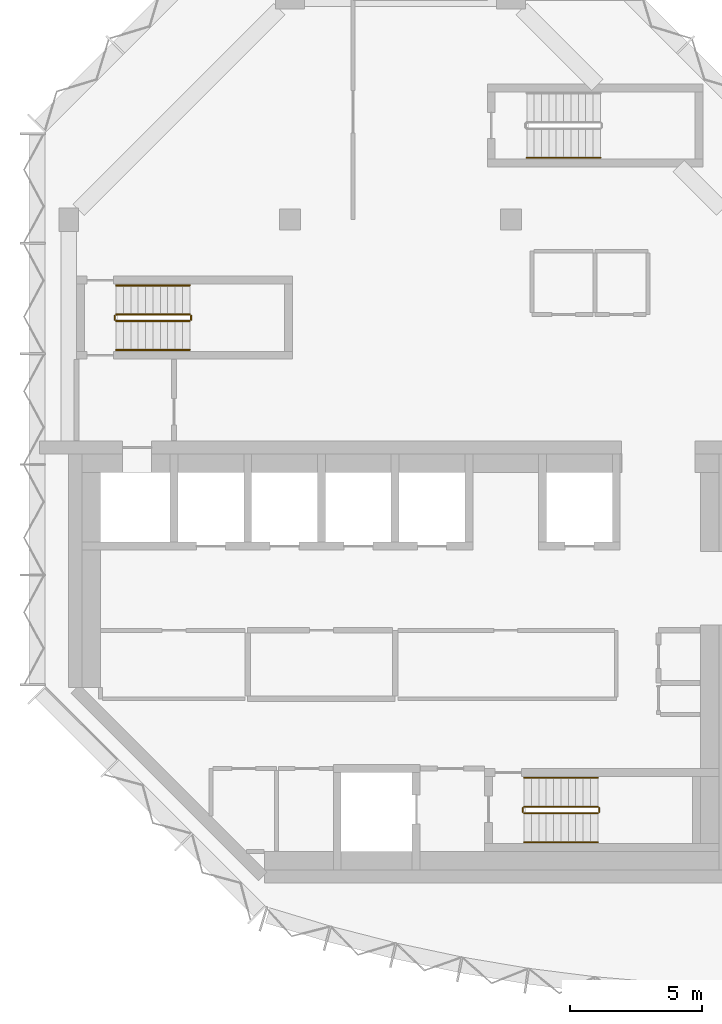
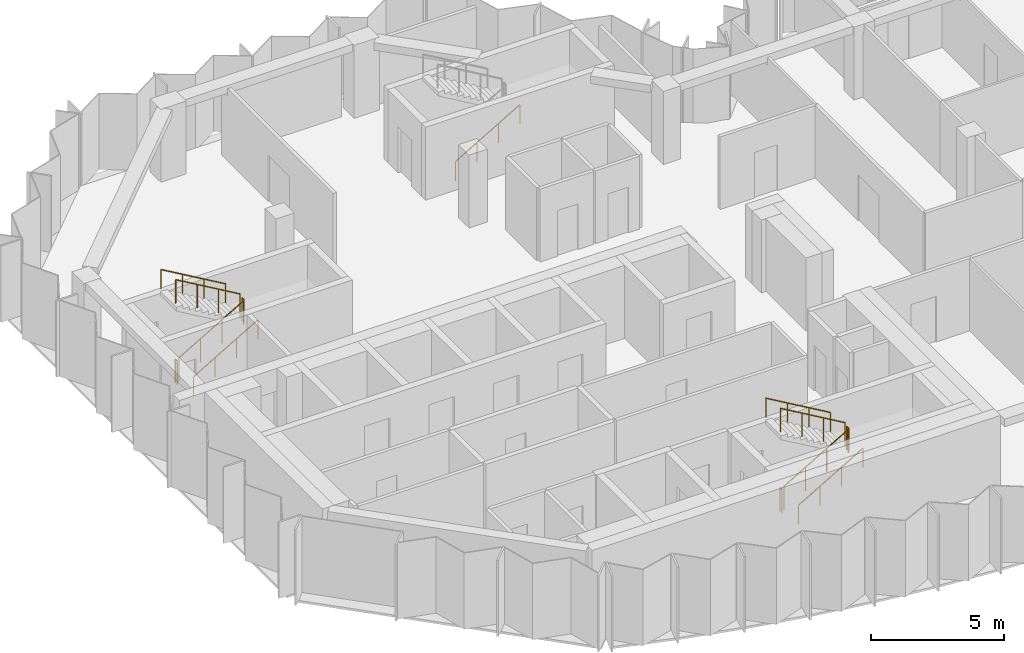
# One storey, part 8 of 9: 13 railings.
"""IFC4 building model written with IfcOpenShell, lengths in metres."""

from ifc_helpers import new_model, si_unit, direction, frame, origin, origin_2d, place, context, subcontext, project, spatial, circle, extrude, material, type_object, element, save


model = new_model("IFC4")

# Units and contexts
model_context = context("Model", 3, precision=1e-05, world=origin(), true_north=direction((0.0, 1.0)))
body_context = subcontext(model_context, "Body", "Model", "MODEL_VIEW")
ifc_project = project(units=[si_unit("LENGTHUNIT", "METRE"), si_unit("AREAUNIT", "SQUARE_METRE"), si_unit("VOLUMEUNIT", "CUBIC_METRE"), si_unit("PLANEANGLEUNIT", "RADIAN"), si_unit("MASSUNIT", "GRAM", prefix="KILO")], contexts=[model_context])

# Site, building, storey
site_placement = place(None, origin())
site = spatial("IfcSite", under=ifc_project, at=site_placement, CompositionType="ELEMENT")
building_placement = place(site_placement, origin())
building = spatial("IfcBuilding", under=site, at=building_placement, Name="Brevane Broadcast Tower", CompositionType="ELEMENT")
storey_placement = place(building_placement, frame((0.0, 0.0, 240.89990234375)))
storey = spatial("IfcBuildingStorey", under=building, at=storey_placement, Name="L61", CompositionType="ELEMENT", Elevation=240.89990234375)

# Railings
ifc_material = material(Name="Steel S355", Category="steel")
railing_type_1 = type_object("IfcRailingType", Name="Exit stair guard", PredefinedType="GUARDRAIL", material=ifc_material)
railing_1_placement = place(storey_placement, frame((1.800048828125, 21.35009765625, 0.163818359375)))
element("IfcRailing", 1, at=railing_1_placement, inside=storey, type_object=railing_type_1, Name="L61 ST-1 stair guard 1", PredefinedType="GUARDRAIL", context=body_context, shape_type="SweptSolid", body=[
    extrude(circle(Radius=0.02392578125, at=origin_2d()), frame((0.0, 0.0, 1.076171875), z_axis=(0.863393664356, 0.0, 0.504530851732), x_axis=(0.0, 1.0, 0.0)), (0.0, 0.0, 1.0), 3.2431640625),
    extrude(circle(Radius=0.02099609375, at=origin_2d()), origin(), (0.0, 0.0, 1.0), 1.052001953125),
    extrude(circle(Radius=0.02099609375, at=origin_2d()), frame((0.933349609375, 0.0, 0.54541015625)), (0.0, 0.0, 1.0), 1.052001953125),
    extrude(circle(Radius=0.02099609375, at=origin_2d()), frame((1.86669921875, 0.0, 1.0908203125)), (0.0, 0.0, 1.0), 1.052001953125),
    extrude(circle(Radius=0.02099609375, at=origin_2d()), frame((2.800048828125, 0.0, 1.63623046875)), (0.0, 0.0, 1.0), 1.052001953125),
])
railing_2_placement = place(storey_placement, frame((4.64990234375, 21.39990234375, 1.800048828125)))
element("IfcRailing", 2, at=railing_2_placement, inside=storey, type_object=railing_type_1, Name="L61 ST-1 stair guard 2", PredefinedType="GUARDRAIL", context=body_context, shape_type="SweptSolid", body=[
    extrude(circle(Radius=0.02392578125, at=origin_2d()), frame((0.0, 0.0, 1.076171875), z_axis=(0.0, 1.0, 0.0), x_axis=(-1.0, 0.0, 0.0)), (0.0, 0.0, 1.0), 0.150146484375),
    extrude(circle(Radius=0.02099609375, at=origin_2d()), origin(), (0.0, 0.0, 1.0), 1.052001953125),
    extrude(circle(Radius=0.02099609375, at=origin_2d()), frame((0.0, 0.150146484375, 0.0)), (0.0, 0.0, 1.0), 1.052001953125),
])
railing_3_placement = place(storey_placement, frame((4.60009765625, 21.60009765625, 1.963623046875)))
element("IfcRailing", 3, at=railing_3_placement, inside=storey, type_object=railing_type_1, Name="L61 ST-1 stair guard 3", PredefinedType="GUARDRAIL", context=body_context, shape_type="SweptSolid", body=[
    extrude(circle(Radius=0.02392578125, at=origin_2d()), frame((0.0, 0.0, 1.076171875), z_axis=(-0.863360870873, 0.0, 0.504586966384), x_axis=(0.0, -1.0, 0.0)), (0.0, 0.0, 1.0), 3.2431640625),
    extrude(circle(Radius=0.02099609375, at=origin_2d()), origin(), (0.0, 0.0, 1.0), 1.052001953125),
    extrude(circle(Radius=0.02099609375, at=origin_2d()), frame((-0.933349609375, 0.0, 0.54541015625)), (0.0, 0.0, 1.0), 1.052001953125),
    extrude(circle(Radius=0.02099609375, at=origin_2d()), frame((-1.86669921875, 0.0, 1.091064453125)), (0.0, 0.0, 1.0), 1.052001953125),
    extrude(circle(Radius=0.02099609375, at=origin_2d()), frame((-2.800048828125, 0.0, 1.636474609375)), (0.0, 0.0, 1.0), 1.052001953125),
])
railing_4_placement = place(storey_placement, frame((1.75, 21.39990234375, 0.0)))
element("IfcRailing", 4, at=railing_4_placement, inside=storey, type_object=railing_type_1, Name="L61 ST-1 stair guard 4", PredefinedType="GUARDRAIL", context=body_context, shape_type="SweptSolid", body=[
    extrude(circle(Radius=0.02392578125, at=origin_2d()), frame((0.0, 0.0, 1.076171875), z_axis=(0.0, 1.0, 0.0), x_axis=(-1.0, 0.0, 0.0)), (0.0, 0.0, 1.0), 0.150146484375),
    extrude(circle(Radius=0.02099609375, at=origin_2d()), origin(), (0.0, 0.0, 1.0), 1.052001953125),
    extrude(circle(Radius=0.02099609375, at=origin_2d()), frame((0.0, 0.150146484375, 0.0)), (0.0, 0.0, 1.0), 1.052001953125),
])
railing_5_placement = place(storey_placement, frame((17.300048828125, 2.64990234375, 0.163818359375)))
element("IfcRailing", 5, at=railing_5_placement, inside=storey, type_object=railing_type_1, Name="L61 ST-2 stair guard 1", PredefinedType="GUARDRAIL", context=body_context, shape_type="SweptSolid", body=[
    extrude(circle(Radius=0.02392578125, at=origin_2d()), frame((0.0, 0.0, 1.076171875), z_axis=(0.863393664356, 0.0, 0.504530851732), x_axis=(0.0, 1.0, 0.0)), (0.0, 0.0, 1.0), 3.2431640625),
    extrude(circle(Radius=0.02099609375, at=origin_2d()), origin(), (0.0, 0.0, 1.0), 1.052001953125),
    extrude(circle(Radius=0.02099609375, at=origin_2d()), frame((0.933349609375, 0.0, 0.54541015625)), (0.0, 0.0, 1.0), 1.052001953125),
    extrude(circle(Radius=0.02099609375, at=origin_2d()), frame((1.86669921875, 0.0, 1.0908203125)), (0.0, 0.0, 1.0), 1.052001953125),
    extrude(circle(Radius=0.02099609375, at=origin_2d()), frame((2.800048828125, 0.0, 1.63623046875)), (0.0, 0.0, 1.0), 1.052001953125),
])
railing_6_placement = place(storey_placement, frame((20.14990234375, 2.699951171875, 1.800048828125)))
element("IfcRailing", 6, at=railing_6_placement, inside=storey, type_object=railing_type_1, Name="L61 ST-2 stair guard 2", PredefinedType="GUARDRAIL", context=body_context, shape_type="SweptSolid", body=[
    extrude(circle(Radius=0.02392578125, at=origin_2d()), frame((0.0, 0.0, 1.076171875), z_axis=(0.0, 1.0, 0.0), x_axis=(-1.0, 0.0, 0.0)), (0.0, 0.0, 1.0), 0.150146484375),
    extrude(circle(Radius=0.02099609375, at=origin_2d()), origin(), (0.0, 0.0, 1.0), 1.052001953125),
    extrude(circle(Radius=0.02099609375, at=origin_2d()), frame((0.0, 0.150146484375, 0.0)), (0.0, 0.0, 1.0), 1.052001953125),
])
railing_7_placement = place(storey_placement, frame((20.10009765625, 2.89990234375, 1.963623046875)))
element("IfcRailing", 7, at=railing_7_placement, inside=storey, type_object=railing_type_1, Name="L61 ST-2 stair guard 3", PredefinedType="GUARDRAIL", context=body_context, shape_type="SweptSolid", body=[
    extrude(circle(Radius=0.02392578125, at=origin_2d()), frame((0.0, 0.0, 1.076171875), z_axis=(-0.863360870873, 0.0, 0.504586966384), x_axis=(0.0, -1.0, 0.0)), (0.0, 0.0, 1.0), 3.2431640625),
    extrude(circle(Radius=0.02099609375, at=origin_2d()), origin(), (0.0, 0.0, 1.0), 1.052001953125),
    extrude(circle(Radius=0.02099609375, at=origin_2d()), frame((-0.933349609375, 0.0, 0.54541015625)), (0.0, 0.0, 1.0), 1.052001953125),
    extrude(circle(Radius=0.02099609375, at=origin_2d()), frame((-1.86669921875, 0.0, 1.091064453125)), (0.0, 0.0, 1.0), 1.052001953125),
    extrude(circle(Radius=0.02099609375, at=origin_2d()), frame((-2.800048828125, 0.0, 1.636474609375)), (0.0, 0.0, 1.0), 1.052001953125),
])
railing_8_placement = place(storey_placement, frame((17.25, 2.699951171875, 0.0)))
element("IfcRailing", 8, at=railing_8_placement, inside=storey, type_object=railing_type_1, Name="L61 ST-2 stair guard 4", PredefinedType="GUARDRAIL", context=body_context, shape_type="SweptSolid", body=[
    extrude(circle(Radius=0.02392578125, at=origin_2d()), frame((0.0, 0.0, 1.076171875), z_axis=(0.0, 1.0, 0.0), x_axis=(-1.0, 0.0, 0.0)), (0.0, 0.0, 1.0), 0.150146484375),
    extrude(circle(Radius=0.02099609375, at=origin_2d()), origin(), (0.0, 0.0, 1.0), 1.052001953125),
    extrude(circle(Radius=0.02099609375, at=origin_2d()), frame((0.0, 0.150146484375, 0.0)), (0.0, 0.0, 1.0), 1.052001953125),
])
railing_type_2 = type_object("IfcRailingType", Name="Exit stair handrail", PredefinedType="HANDRAIL", material=ifc_material)
railing_9_placement = place(storey_placement, frame((1.800048828125, 20.25, 0.163818359375)))
element("IfcRailing", 9, at=railing_9_placement, inside=storey, type_object=railing_type_2, Name="L61 ST-1 stair handrail 1", PredefinedType="HANDRAIL", context=body_context, shape_type="SweptSolid", body=[
    extrude(circle(Radius=0.02392578125, at=origin_2d()), frame((0.0, 0.0, 0.8759765625), z_axis=(0.863393664356, 0.0, 0.504530851732), x_axis=(0.0, 1.0, 0.0)), (0.0, 0.0, 1.0), 3.2431640625),
    extrude(circle(Radius=0.02099609375, at=origin_2d()), origin(), (0.0, 0.0, 1.0), 0.851806640625),
    extrude(circle(Radius=0.02099609375, at=origin_2d()), frame((0.933349609375, 0.0, 0.54541015625)), (0.0, 0.0, 1.0), 0.851806640625),
    extrude(circle(Radius=0.02099609375, at=origin_2d()), frame((1.86669921875, 0.0, 1.0908203125)), (0.0, 0.0, 1.0), 0.851806640625),
    extrude(circle(Radius=0.02099609375, at=origin_2d()), frame((2.800048828125, 0.0, 1.63623046875)), (0.0, 0.0, 1.0), 0.851806640625),
])
railing_10_placement = place(storey_placement, frame((4.60009765625, 22.699951171875, 1.963623046875)))
element("IfcRailing", 10, at=railing_10_placement, inside=storey, type_object=railing_type_2, Name="L61 ST-1 stair handrail 2", PredefinedType="HANDRAIL", context=body_context, shape_type="SweptSolid", body=[
    extrude(circle(Radius=0.02392578125, at=origin_2d()), frame((0.0, 0.0, 0.8759765625), z_axis=(-0.863360870873, 0.0, 0.504586966384), x_axis=(0.0, -1.0, 0.0)), (0.0, 0.0, 1.0), 3.2431640625),
    extrude(circle(Radius=0.02099609375, at=origin_2d()), origin(), (0.0, 0.0, 1.0), 0.851806640625),
    extrude(circle(Radius=0.02099609375, at=origin_2d()), frame((-0.933349609375, 0.0, 0.54541015625)), (0.0, 0.0, 1.0), 0.851806640625),
    extrude(circle(Radius=0.02099609375, at=origin_2d()), frame((-1.86669921875, 0.0, 1.091064453125)), (0.0, 0.0, 1.0), 0.851806640625),
    extrude(circle(Radius=0.02099609375, at=origin_2d()), frame((-2.800048828125, 0.0, 1.636474609375)), (0.0, 0.0, 1.0), 0.851806640625),
])
railing_11_placement = place(storey_placement, frame((17.300048828125, 1.550048828125, 0.163818359375)))
element("IfcRailing", 11, at=railing_11_placement, inside=storey, type_object=railing_type_2, Name="L61 ST-2 stair handrail 1", PredefinedType="HANDRAIL", context=body_context, shape_type="SweptSolid", body=[
    extrude(circle(Radius=0.02392578125, at=origin_2d()), frame((0.0, 0.0, 0.8759765625), z_axis=(0.863393664356, 0.0, 0.504530851732), x_axis=(0.0, 1.0, 0.0)), (0.0, 0.0, 1.0), 3.2431640625),
    extrude(circle(Radius=0.02099609375, at=origin_2d()), origin(), (0.0, 0.0, 1.0), 0.851806640625),
    extrude(circle(Radius=0.02099609375, at=origin_2d()), frame((0.933349609375, 0.0, 0.54541015625)), (0.0, 0.0, 1.0), 0.851806640625),
    extrude(circle(Radius=0.02099609375, at=origin_2d()), frame((1.86669921875, 0.0, 1.0908203125)), (0.0, 0.0, 1.0), 0.851806640625),
    extrude(circle(Radius=0.02099609375, at=origin_2d()), frame((2.800048828125, 0.0, 1.63623046875)), (0.0, 0.0, 1.0), 0.851806640625),
])
railing_12_placement = place(storey_placement, frame((20.10009765625, 4.0, 1.963623046875)))
element("IfcRailing", 12, at=railing_12_placement, inside=storey, type_object=railing_type_2, Name="L61 ST-2 stair handrail 2", PredefinedType="HANDRAIL", context=body_context, shape_type="SweptSolid", body=[
    extrude(circle(Radius=0.02392578125, at=origin_2d()), frame((0.0, 0.0, 0.8759765625), z_axis=(-0.863360870873, 0.0, 0.504586966384), x_axis=(0.0, -1.0, 0.0)), (0.0, 0.0, 1.0), 3.2431640625),
    extrude(circle(Radius=0.02099609375, at=origin_2d()), origin(), (0.0, 0.0, 1.0), 0.851806640625),
    extrude(circle(Radius=0.02099609375, at=origin_2d()), frame((-0.933349609375, 0.0, 0.54541015625)), (0.0, 0.0, 1.0), 0.851806640625),
    extrude(circle(Radius=0.02099609375, at=origin_2d()), frame((-1.86669921875, 0.0, 1.091064453125)), (0.0, 0.0, 1.0), 0.851806640625),
    extrude(circle(Radius=0.02099609375, at=origin_2d()), frame((-2.800048828125, 0.0, 1.636474609375)), (0.0, 0.0, 1.0), 0.851806640625),
])
railing_13_placement = place(storey_placement, frame((17.39990234375, 27.550048828125, 0.163818359375)))
element("IfcRailing", 13, at=railing_13_placement, inside=storey, type_object=railing_type_2, Name="L61 ST-3 stair handrail 1", PredefinedType="HANDRAIL", context=body_context, shape_type="SweptSolid", body=[
    extrude(circle(Radius=0.02392578125, at=origin_2d()), frame((0.0, 0.0, 0.8759765625), z_axis=(0.863393664356, 0.0, 0.504530851732), x_axis=(0.0, 1.0, 0.0)), (0.0, 0.0, 1.0), 3.2431640625),
    extrude(circle(Radius=0.02099609375, at=origin_2d()), origin(), (0.0, 0.0, 1.0), 0.851806640625),
    extrude(circle(Radius=0.02099609375, at=origin_2d()), frame((0.933349609375, 0.0, 0.54541015625)), (0.0, 0.0, 1.0), 0.851806640625),
    extrude(circle(Radius=0.02099609375, at=origin_2d()), frame((1.86669921875, 0.0, 1.0908203125)), (0.0, 0.0, 1.0), 0.851806640625),
    extrude(circle(Radius=0.02099609375, at=origin_2d()), frame((2.800048828125, 0.0, 1.63623046875)), (0.0, 0.0, 1.0), 0.851806640625),
])

save(model, "model.ifc")
